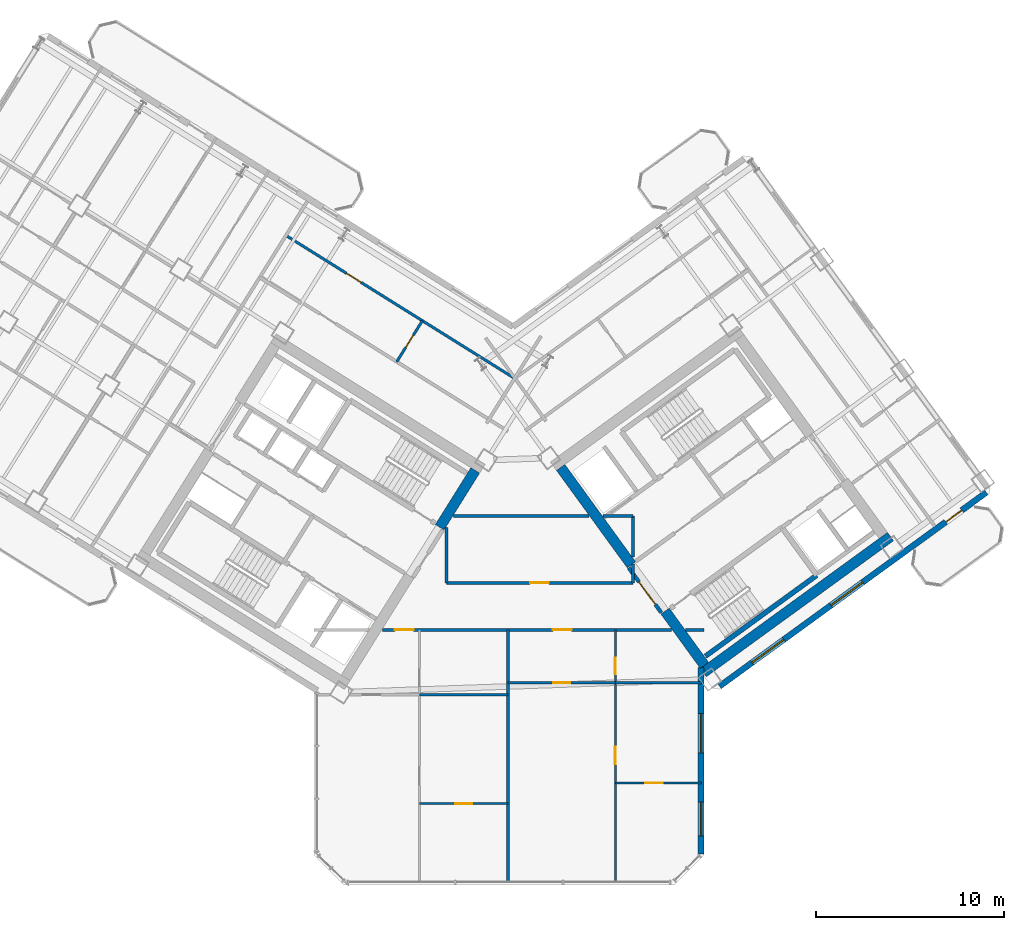
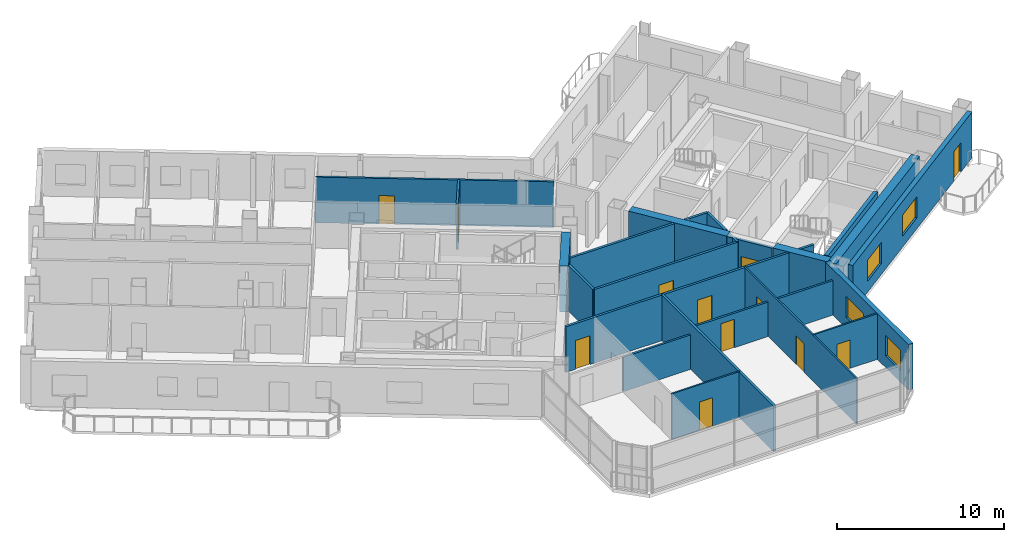
# One storey, part 13 of 20: 25 walls, 12 doors, 4 windows, 16 openings.
"""IFC4 building model written with IfcOpenShell, lengths in metres."""

from ifc_helpers import new_model, si_unit, direction, frame, frame_2d, origin, place, context, subcontext, project, spatial, rectangle, extrude, source, transform, mapped, material, layer, layer_set, type_object, element, fill, save


model = new_model("IFC4")

# Units and contexts
model_context = context("Model", 3, precision=1e-05, world=origin(), true_north=direction((0.0, 1.0)))
body_context = subcontext(model_context, "Body", "Model", "MODEL_VIEW")
ifc_project = project(units=[si_unit("LENGTHUNIT", "METRE"), si_unit("AREAUNIT", "SQUARE_METRE"), si_unit("VOLUMEUNIT", "CUBIC_METRE"), si_unit("PLANEANGLEUNIT", "RADIAN"), si_unit("MASSUNIT", "GRAM", prefix="KILO")], contexts=[model_context])

# Site, building, storey
site_placement = place(None, origin())
site = spatial("IfcSite", under=ifc_project, at=site_placement, CompositionType="ELEMENT")
building_placement = place(site_placement, origin())
building = spatial("IfcBuilding", under=site, at=building_placement, Name="Tlacorven Tower", CompositionType="ELEMENT")
storey_placement = place(building_placement, frame((0.0, 0.0, 116.10009765625)))
storey = spatial("IfcBuildingStorey", under=building, at=storey_placement, Name="L29", CompositionType="ELEMENT", Elevation=116.10009765625)

# Walls
ifc_material_1 = material(Name="Concrete C60/75", Category="concrete")
ifc_layer_1 = layer(ifc_material_1, 0.550048828125)
ifc_layer_set_1 = layer_set([ifc_layer_1], Name="Concrete C60/75")
wall_type_1 = type_object("IfcWallType", Name="WL-COR-550", PredefinedType="SHEAR", material=ifc_layer_set_1)
wall_1_placement = place(storey_placement, frame((40.194091796875, 23.92236328125, 0.0), z_axis=(0.0, 0.0, 1.0), x_axis=(-0.529888438328, -0.848067357541, 0.0)))
element("IfcWall", 1, at=wall_1_placement, inside=storey, type_object=wall_type_1, Name="L29 W core end wall E1.1", PredefinedType="SHEAR", context=body_context, shape_type="SweptSolid", body=[
    extrude(rectangle(XDim=3.574951171875, YDim=0.550048828125, at=frame_2d((1.78759765625, 0.0))), origin(), (0.0, 0.0, 1.0), 3.349853515625),
])
wall_2_placement = place(storey_placement, frame((52.35888671875, 13.1396484375, 0.0), z_axis=(0.0, 0.0, 1.0), x_axis=(0.809014896919, 0.587788139183, 0.0)))
element("IfcWall", 2, at=wall_2_placement, inside=storey, type_object=wall_type_1, Name="L29 E core shear wall S1", PredefinedType="SHEAR", context=body_context, shape_type="SweptSolid", body=[
    extrude(rectangle(XDim=12.340087890625, YDim=0.550048828125, at=frame_2d((6.169921875, 0.0))), origin(), (0.0, 0.0, 1.0), 3.349853515625),
])
wall_3_placement = place(storey_placement, frame((52.419677734375, 13.52392578125, 0.0), z_axis=(0.0, 0.0, 1.0), x_axis=(-0.587802113096, 0.809004744015, 0.0)))
element("IfcWall", 3, at=wall_3_placement, inside=storey, type_object=wall_type_1, Name="L29 E core end wall E1.1", PredefinedType="SHEAR", context=body_context, shape_type="SweptSolid", body=[
    extrude(rectangle(XDim=3.574951171875, YDim=0.550048828125, at=frame_2d((1.78759765625, 0.0))), origin(), (0.0, 0.0, 1.0), 3.349853515625),
])
wall_4_placement = place(storey_placement, frame((48.525634765625, 18.883544921875, 0.0), z_axis=(0.0, 0.0, 1.0), x_axis=(-0.587764933797, 0.809031756236, 0.0)))
element("IfcWall", 4, at=wall_4_placement, inside=storey, type_object=wall_type_1, Name="L29 E core end wall E1.2", PredefinedType="SHEAR", context=body_context, shape_type="SweptSolid", body=[
    extrude(rectangle(XDim=6.425048828125, YDim=0.550048828125, at=frame_2d((3.21240234375, 0.0))), origin(), (0.0, 0.0, 1.0), 3.349853515625),
])

# Wall, openings, doors
ifc_material_2 = material(Name="Gypsum plasterboard acoustic partition", Category="gypsum")
ifc_layer_2 = layer(ifc_material_2, 0.159912109375)
ifc_layer_set_2 = layer_set([ifc_layer_2], Name="Gypsum plasterboard acoustic partition")
wall_type_2 = type_object("IfcWallType", Name="WL-DEM-160", PredefinedType="PARTITIONING", material=ifc_layer_set_2)
wall_5_placement = place(storey_placement, frame((35.2373046875, 15.419921875, 0.0), z_axis=(0.0, 0.0, 1.0), x_axis=(1.0, 0.0, 0.0)))
wall_5 = element("IfcWall", 5, at=wall_5_placement, inside=storey, type_object=wall_type_2, Name="L29 Knuckle Corridor South Wall", PredefinedType="PARTITIONING", context=body_context, shape_type="SweptSolid", body=[
    extrude(rectangle(XDim=15.431640625, YDim=0.159912109375, at=frame_2d((7.7158203125, 0.0))), origin(), (0.0, 0.0, 1.0), 3.33984375),
])
opening_1_placement = place(wall_5_placement, frame((0.673583984375, 0.0, 0.0)))
opening_1 = element("IfcOpeningElement", 6, at=opening_1_placement, cuts=wall_5, Name="Opening D11", PredefinedType="OPENING", context=body_context, shape_type="SweptSolid", body=[
    extrude(rectangle(XDim=1.0, YDim=2.10009765625, at=frame_2d((0.5, 1.050048828125))), frame((0.0, 0.08984375, 0.0), z_axis=(0.0, -1.0, 0.0), x_axis=(1.0, 0.0, 0.0)), (0.0, 0.0, 1.0), 0.179931640625),
])
opening_2_placement = place(wall_5_placement, frame((9.093994140625, 0.0, 0.0)))
opening_2 = element("IfcOpeningElement", 7, at=opening_2_placement, cuts=wall_5, Name="Opening D11", PredefinedType="OPENING", context=body_context, shape_type="SweptSolid", body=[
    extrude(rectangle(XDim=1.0, YDim=2.10009765625, at=frame_2d((0.5, 1.050048828125))), frame((0.0, 0.08984375, 0.0), z_axis=(0.0, -1.0, 0.0), x_axis=(1.0, 0.0, 0.0)), (0.0, 0.0, 1.0), 0.179931640625),
])
ifc_material_3 = material(Name="Fire-rated steel door assembly", Category="steel")
door_type_1 = type_object("IfcDoorType", Name="DR-FLT-FD60-1000", OperationType="NOTDEFINED", PredefinedType="DOOR", material=ifc_material_3)
shared_shape_1 = source(origin(), body_context, "Body", "SweptSolid", [
    extrude(rectangle(XDim=1.0, YDim=2.10009765625, at=frame_2d((0.5, 1.050048828125))), frame((0.0, 0.02490234375, 0.0), z_axis=(0.0, -1.0, 0.0), x_axis=(1.0, 0.0, 0.0)), (0.0, 0.0, 1.0), 0.050048828125),
])
door_1_placement = place(opening_1_placement, frame((1.0, 0.0, 0.0), z_axis=(0.0, 0.0, 1.0), x_axis=(-1.0, 0.0, 0.0)))
door_1 = element("IfcDoor", 8, at=door_1_placement, inside=storey, type_object=door_type_1, Name="L29 door 048", OperationType="SINGLE_SWING_RIGHT", OverallHeight=2.10009765625, OverallWidth=1.0, PredefinedType="DOOR", context=body_context, shape_type="MappedRepresentation", body=[
    mapped(shared_shape_1, transform((0.0, 0.0, 0.0), scale=1.0)),
])
fill(opening_1, door_1)
door_2_placement = place(opening_2_placement, frame((1.0, 0.0, 0.0), z_axis=(0.0, 0.0, 1.0), x_axis=(-1.0, 0.0, 0.0)))
door_2 = element("IfcDoor", 9, at=door_2_placement, inside=storey, type_object=door_type_1, Name="L29 door 053", OperationType="SINGLE_SWING_LEFT", OverallHeight=2.10009765625, OverallWidth=1.0, PredefinedType="DOOR", context=body_context, shape_type="MappedRepresentation", body=[
    mapped(shared_shape_1, transform((0.0, 0.0, 0.0), scale=1.0)),
])
fill(opening_2, door_2)

# Wall
wall_6_placement = place(storey_placement, frame((51.41552734375, 15.419921875, 0.0), z_axis=(0.0, 0.0, 1.0), x_axis=(1.0, 0.0, 0.0)))
element("IfcWall", 10, at=wall_6_placement, inside=storey, type_object=wall_type_2, Name="L29 Knuckle Corridor South Wall", PredefinedType="PARTITIONING", context=body_context, shape_type="SweptSolid", body=[
    extrude(rectangle(XDim=0.984375, YDim=0.159912109375, at=frame_2d((0.4921875, 0.0))), origin(), (0.0, 0.0, 1.0), 3.33984375),
])

# Wall, opening, door
wall_7_placement = place(storey_placement, frame((38.64990234375, 17.929931640625, 0.0), z_axis=(0.0, 0.0, 1.0), x_axis=(1.0, 0.0, 0.0)))
wall_7 = element("IfcWall", 11, at=wall_7_placement, inside=storey, type_object=wall_type_2, Name="L29 partition 72", PredefinedType="PARTITIONING", context=body_context, shape_type="SweptSolid", body=[
    extrude(rectangle(XDim=9.9501953125, YDim=0.159912109375, at=frame_2d((4.97509765625, 0.0))), origin(), (0.0, 0.0, 1.0), 3.33984375),
])
opening_3_placement = place(wall_7_placement, frame((4.47509765625, 0.0, 0.0)))
opening_3 = element("IfcOpeningElement", 12, at=opening_3_placement, cuts=wall_7, Name="Opening D11", PredefinedType="OPENING", context=body_context, shape_type="SweptSolid", body=[
    extrude(rectangle(XDim=1.0, YDim=2.10009765625, at=frame_2d((0.5, 1.050048828125))), frame((0.0, 0.08984375, 0.0), z_axis=(0.0, -1.0, 0.0), x_axis=(1.0, 0.0, 0.0)), (0.0, 0.0, 1.0), 0.179931640625),
])
door_3_placement = place(opening_3_placement, origin())
door_3 = element("IfcDoor", 13, at=door_3_placement, inside=storey, type_object=door_type_1, Name="L29 door 043", OperationType="SINGLE_SWING_LEFT", OverallHeight=2.10009765625, OverallWidth=1.0, PredefinedType="DOOR", context=body_context, shape_type="MappedRepresentation", body=[
    mapped(shared_shape_1, transform((0.0, 0.0, 0.0), scale=1.0)),
])
fill(opening_3, door_3)

# Walls
wall_8_placement = place(storey_placement, frame((38.64990234375, 17.929931640625, 0.0), z_axis=(0.0, 0.0, 1.0), x_axis=(0.0, 1.0, 0.0)))
element("IfcWall", 14, at=wall_8_placement, inside=storey, type_object=wall_type_2, Name="L29 partition 73", PredefinedType="PARTITIONING", context=body_context, shape_type="SweptSolid", body=[
    extrude(rectangle(XDim=2.951416015625, YDim=0.159912109375, at=frame_2d((1.4755859375, 0.0))), origin(), (0.0, 0.0, 1.0), 3.33984375),
])
wall_9_placement = place(storey_placement, frame((48.60009765625, 17.929931640625, 0.0), z_axis=(0.0, 0.0, 1.0), x_axis=(0.0, 1.0, 0.0)))
element("IfcWall", 15, at=wall_9_placement, inside=storey, type_object=wall_type_2, Name="L29 partition 74", PredefinedType="PARTITIONING", context=body_context, shape_type="SweptSolid", body=[
    extrude(rectangle(XDim=0.99267578125, YDim=0.159912109375, at=frame_2d((0.496337890625, 0.0))), origin(), (0.0, 0.0, 1.0), 3.33984375),
])
wall_10_placement = place(storey_placement, frame((48.60009765625, 19.295166015625, 0.0), z_axis=(0.0, 0.0, 1.0), x_axis=(0.0, 1.0, 0.0)))
element("IfcWall", 16, at=wall_10_placement, inside=storey, type_object=wall_type_2, Name="L29 partition 74", PredefinedType="PARTITIONING", context=body_context, shape_type="SweptSolid", body=[
    extrude(rectangle(XDim=2.204833984375, YDim=0.159912109375, at=frame_2d((1.1025390625, 0.0))), origin(), (0.0, 0.0, 1.0), 3.33984375),
])
wall_11_placement = place(storey_placement, frame((39.03662109375, 21.5, 0.0), z_axis=(0.0, 0.0, 1.0), x_axis=(1.0, 0.0, 0.0)))
element("IfcWall", 17, at=wall_11_placement, inside=storey, type_object=wall_type_2, Name="L29 partition 75", PredefinedType="PARTITIONING", context=body_context, shape_type="SweptSolid", body=[
    extrude(rectangle(XDim=7.21484375, YDim=0.159912109375, at=frame_2d((3.607421875, 0.0))), origin(), (0.0, 0.0, 1.0), 3.33984375),
])
wall_12_placement = place(storey_placement, frame((46.998046875, 21.5, 0.0), z_axis=(0.0, 0.0, 1.0), x_axis=(1.0, 0.0, 0.0)))
element("IfcWall", 18, at=wall_12_placement, inside=storey, type_object=wall_type_2, Name="L29 partition 75", PredefinedType="PARTITIONING", context=body_context, shape_type="SweptSolid", body=[
    extrude(rectangle(XDim=1.60205078125, YDim=0.159912109375, at=frame_2d((0.801025390625, 0.0))), origin(), (0.0, 0.0, 1.0), 3.33984375),
])
wall_13_placement = place(storey_placement, frame((41.949951171875, 1.9599609375, 0.0), z_axis=(0.0, 0.0, 1.0), x_axis=(0.0, 1.0, 0.0)))
element("IfcWall", 19, at=wall_13_placement, inside=storey, type_object=wall_type_2, Name="L29 Knuckle Demising Wall 1", PredefinedType="PARTITIONING", context=body_context, shape_type="SweptSolid", body=[
    extrude(rectangle(XDim=13.4599609375, YDim=0.159912109375, at=frame_2d((6.72998046875, 0.0))), origin(), (0.0, 0.0, 1.0), 3.33984375),
])

# Wall, openings, door, windows
ifc_material_4 = material(Name="Precast concrete C45/55", Category="concrete")
ifc_layer_3 = layer(ifc_material_4, 0.320068359375)
ifc_layer_set_3 = layer_set([ifc_layer_3], Name="Precast concrete C45/55")
wall_type_3 = type_object("IfcWallType", Name="WL-EXT-320", PredefinedType="STANDARD", material=ifc_layer_set_3)
wall_14_placement = place(storey_placement, frame((67.45361328125, 22.746826171875, 0.0), z_axis=(0.0, 0.0, 1.0), x_axis=(-0.809021120468, -0.587779573171, 0.0)))
wall_14 = element("IfcWall", 20, at=wall_14_placement, inside=storey, type_object=wall_type_3, Name="L29 Masonry-Frame Recessed Facade Wall 6", PredefinedType="STANDARD", context=body_context, shape_type="SweptSolid", body=[
    extrude(rectangle(XDim=17.587646484375, YDim=0.320068359375, at=frame_2d((8.7939453125, 0.0))), origin(), (0.0, 0.0, 1.0), 3.349853515625),
])
opening_4_placement = place(wall_14_placement, frame((1.623779296875, 0.0, 0.0)))
opening_4 = element("IfcOpeningElement", 21, at=opening_4_placement, cuts=wall_14, Name="Opening D06", PredefinedType="OPENING", context=body_context, shape_type="SweptSolid", body=[
    extrude(rectangle(XDim=1.050048828125, YDim=2.14990234375, at=frame_2d((0.52490234375, 1.074951171875))), frame((0.0, 0.169921875, 0.0), z_axis=(0.0, -1.0, 0.0), x_axis=(1.0, 0.0, 0.0)), (0.0, 0.0, 1.0), 0.340087890625),
])
opening_5_placement = place(wall_14_placement, frame((8.143798828125, 0.0, 0.800048828125)))
opening_5 = element("IfcOpeningElement", 22, at=opening_5_placement, cuts=wall_14, Name="Opening WN04", PredefinedType="OPENING", context=body_context, shape_type="SweptSolid", body=[
    extrude(rectangle(XDim=2.10009765625, YDim=1.550048828125, at=frame_2d((1.050048828125, 0.77490234375))), frame((0.0, 0.169921875, 0.0), z_axis=(0.0, -1.0, 0.0), x_axis=(1.0, 0.0, 0.0)), (0.0, 0.0, 1.0), 0.340087890625),
])
opening_6_placement = place(wall_14_placement, frame((13.34375, 0.0, 0.800048828125)))
opening_6 = element("IfcOpeningElement", 23, at=opening_6_placement, cuts=wall_14, Name="Opening WN04", PredefinedType="OPENING", context=body_context, shape_type="SweptSolid", body=[
    extrude(rectangle(XDim=2.10009765625, YDim=1.550048828125, at=frame_2d((1.050048828125, 0.77490234375))), frame((0.0, 0.169921875, 0.0), z_axis=(0.0, -1.0, 0.0), x_axis=(1.0, 0.0, 0.0)), (0.0, 0.0, 1.0), 0.340087890625),
])
ifc_material_5 = material(Name="Powder-coated aluminium and timber door", Category="wood")
door_type_2 = type_object("IfcDoorType", Name="DR-EXT-BALC-1050", OperationType="NOTDEFINED", PredefinedType="DOOR", material=ifc_material_5)
shared_shape_2 = source(origin(), body_context, "Body", "SweptSolid", [
    extrude(rectangle(XDim=1.050048828125, YDim=2.14990234375, at=frame_2d((0.52490234375, 1.074951171875))), frame((0.0, 0.02490234375, 0.0), z_axis=(0.0, -1.0, 0.0), x_axis=(1.0, 0.0, 0.0)), (0.0, 0.0, 1.0), 0.050048828125),
])
door_4_placement = place(opening_4_placement, origin())
door_4 = element("IfcDoor", 24, at=door_4_placement, inside=storey, type_object=door_type_2, Name="L29 Outdoor Access Door BAL-L29-E-OUT", OperationType="SINGLE_SWING_LEFT", OverallHeight=2.14990234375, OverallWidth=1.050048828125, PredefinedType="DOOR", context=body_context, shape_type="MappedRepresentation", body=[
    mapped(shared_shape_2, transform((0.0, 0.0, 0.0), scale=1.0)),
])
fill(opening_4, door_4)
ifc_material_6 = material(Name="Dark solar low-E double glazing in anodised aluminium frame", Category="aluminium")
window_type_1 = type_object("IfcWindowType", Name="WN-APT-2100X1750", PartitioningType="SINGLE_PANEL", PredefinedType="WINDOW", material=ifc_material_6)
shared_shape_3 = source(origin(), body_context, "Body", "SweptSolid", [
    extrude(rectangle(XDim=2.10009765625, YDim=1.550048828125, at=frame_2d((1.050048828125, 0.77490234375))), frame((0.0, 0.030029296875, 0.0), z_axis=(0.0, -1.0, 0.0), x_axis=(1.0, 0.0, 0.0)), (0.0, 0.0, 1.0), 0.06005859375),
])
window_1_placement = place(opening_5_placement, origin())
window_1 = element("IfcWindow", 25, at=window_1_placement, inside=storey, type_object=window_type_1, Name="L29 Recessed Masonry-Frame Window L29-06.1", OverallHeight=1.550048828125, OverallWidth=2.10009765625, PartitioningType="SINGLE_PANEL", PredefinedType="WINDOW", context=body_context, shape_type="MappedRepresentation", body=[
    mapped(shared_shape_3, transform((0.0, 0.0, 0.0), scale=1.0)),
])
fill(opening_5, window_1)
window_2_placement = place(opening_6_placement, origin())
window_2 = element("IfcWindow", 26, at=window_2_placement, inside=storey, type_object=window_type_1, Name="L29 Recessed Masonry-Frame Window L29-06.2", OverallHeight=1.550048828125, OverallWidth=2.10009765625, PartitioningType="SINGLE_PANEL", PredefinedType="WINDOW", context=body_context, shape_type="MappedRepresentation", body=[
    mapped(shared_shape_3, transform((0.0, 0.0, 0.0), scale=1.0)),
])
fill(opening_6, window_2)

# Wall, openings, windows
wall_15_placement = place(storey_placement, frame((52.239990234375, 13.4140625, 0.0), z_axis=(0.0, 0.0, 1.0), x_axis=(0.0, -1.0, 0.0)))
wall_15 = element("IfcWall", 27, at=wall_15_placement, inside=storey, type_object=wall_type_3, Name="L29 Masonry-Frame Recessed Facade Wall 7", PredefinedType="STANDARD", context=body_context, shape_type="SweptSolid", body=[
    extrude(rectangle(XDim=9.94775390625, YDim=0.320068359375, at=frame_2d((4.973876953125, 0.0))), origin(), (0.0, 0.0, 1.0), 3.349853515625),
])
opening_7_placement = place(wall_15_placement, frame((2.4599609375, 0.0, 0.800048828125)))
opening_7 = element("IfcOpeningElement", 28, at=opening_7_placement, cuts=wall_15, Name="Opening WN04", PredefinedType="OPENING", context=body_context, shape_type="SweptSolid", body=[
    extrude(rectangle(XDim=2.10009765625, YDim=1.550048828125, at=frame_2d((1.050048828125, 0.77490234375))), frame((0.0, 0.169921875, 0.0), z_axis=(0.0, -1.0, 0.0), x_axis=(1.0, 0.0, 0.0)), (0.0, 0.0, 1.0), 0.340087890625),
])
opening_8_placement = place(wall_15_placement, frame((7.183349609375, 0.0, 0.85009765625)))
opening_8 = element("IfcOpeningElement", 29, at=opening_8_placement, cuts=wall_15, Name="Opening WN01", PredefinedType="OPENING", context=body_context, shape_type="SweptSolid", body=[
    extrude(rectangle(XDim=1.800048828125, YDim=1.5, at=frame_2d((0.89990234375, 0.75))), frame((0.0, 0.169921875, 0.0), z_axis=(0.0, -1.0, 0.0), x_axis=(1.0, 0.0, 0.0)), (0.0, 0.0, 1.0), 0.340087890625),
])
window_3_placement = place(opening_7_placement, origin())
window_3 = element("IfcWindow", 30, at=window_3_placement, inside=storey, type_object=window_type_1, Name="L29 Recessed Masonry-Frame Window L29-07.1", OverallHeight=1.550048828125, OverallWidth=2.10009765625, PartitioningType="SINGLE_PANEL", PredefinedType="WINDOW", context=body_context, shape_type="MappedRepresentation", body=[
    mapped(shared_shape_3, transform((0.0, 0.0, 0.0), scale=1.0)),
])
fill(opening_7, window_3)
window_type_2 = type_object("IfcWindowType", Name="WN-APT-1800X1650", PartitioningType="SINGLE_PANEL", PredefinedType="WINDOW", material=ifc_material_6)
shared_shape_4 = source(origin(), body_context, "Body", "SweptSolid", [
    extrude(rectangle(XDim=1.800048828125, YDim=1.5, at=frame_2d((0.89990234375, 0.75))), frame((0.0, 0.030029296875, 0.0), z_axis=(0.0, -1.0, 0.0), x_axis=(1.0, 0.0, 0.0)), (0.0, 0.0, 1.0), 0.06005859375),
])
window_4_placement = place(opening_8_placement, origin())
window_4 = element("IfcWindow", 31, at=window_4_placement, inside=storey, type_object=window_type_2, Name="L29 Recessed Masonry-Frame Window L29-07.2", OverallHeight=1.5, OverallWidth=1.800048828125, PartitioningType="SINGLE_PANEL", PredefinedType="WINDOW", context=body_context, shape_type="MappedRepresentation", body=[
    mapped(shared_shape_4, transform((0.0, 0.0, 0.0), scale=1.0)),
])
fill(opening_8, window_4)

# Wall, opening, door
ifc_material_7 = material(Name="Gypsum plasterboard partition", Category="gypsum")
ifc_layer_4 = layer(ifc_material_7, 0.110107421875)
ifc_layer_set_4 = layer_set([ifc_layer_4], Name="Gypsum plasterboard partition")
wall_type_4 = type_object("IfcWallType", Name="WL-INT-110", PredefinedType="PARTITIONING", material=ifc_layer_set_4)
wall_16_placement = place(storey_placement, frame((37.221923828125, 6.14990234375, 0.0), z_axis=(0.0, 0.0, 1.0), x_axis=(1.0, 0.0, 0.0)))
wall_16 = element("IfcWall", 32, at=wall_16_placement, inside=storey, type_object=wall_type_4, Name="L29 partition 81", PredefinedType="PARTITIONING", context=body_context, shape_type="SweptSolid", body=[
    extrude(rectangle(XDim=4.72802734375, YDim=0.110107421875, at=frame_2d((2.364013671875, 0.0))), origin(), (0.0, 0.0, 1.0), 3.33984375),
])
opening_9_placement = place(wall_16_placement, frame((1.904052734375, 0.0, 0.0)))
opening_9 = element("IfcOpeningElement", 33, at=opening_9_placement, cuts=wall_16, Name="Opening D12", PredefinedType="OPENING", context=body_context, shape_type="SweptSolid", body=[
    extrude(rectangle(XDim=0.919921875, YDim=2.080078125, at=frame_2d((0.4599609375, 1.0400390625))), frame((0.0, 0.06494140625, 0.0), z_axis=(0.0, -1.0, 0.0), x_axis=(1.0, 0.0, 0.0)), (0.0, 0.0, 1.0), 0.130126953125),
])
door_type_3 = type_object("IfcDoorType", Name="DR-INT-ROOM-0920", OperationType="NOTDEFINED", PredefinedType="DOOR", material=ifc_material_5)
shared_shape_5 = source(origin(), body_context, "Body", "SweptSolid", [
    extrude(rectangle(XDim=0.919921875, YDim=2.080078125, at=frame_2d((0.4599609375, 1.0400390625))), frame((0.0, 0.02490234375, 0.0), z_axis=(0.0, -1.0, 0.0), x_axis=(1.0, 0.0, 0.0)), (0.0, 0.0, 1.0), 0.050048828125),
])
door_5_placement = place(opening_9_placement, origin())
door_5 = element("IfcDoor", 34, at=door_5_placement, inside=storey, type_object=door_type_3, Name="L29 door 047", OperationType="SINGLE_SWING_LEFT", OverallHeight=2.080078125, OverallWidth=0.919921875, PredefinedType="DOOR", context=body_context, shape_type="MappedRepresentation", body=[
    mapped(shared_shape_5, transform((0.0, 0.0, 0.0), scale=1.0)),
])
fill(opening_9, door_5)

# Wall, openings, doors
wall_17_placement = place(storey_placement, frame((47.6630859375, 1.9599609375, 0.0), z_axis=(0.0, 0.0, 1.0), x_axis=(0.0, 1.0, 0.0)))
wall_17 = element("IfcWall", 35, at=wall_17_placement, inside=storey, type_object=wall_type_4, Name="L29 partition 82", PredefinedType="PARTITIONING", context=body_context, shape_type="SweptSolid", body=[
    extrude(rectangle(XDim=13.4599609375, YDim=0.110107421875, at=frame_2d((6.72998046875, 0.0))), origin(), (0.0, 0.0, 1.0), 3.33984375),
])
opening_10_placement = place(wall_17_placement, frame((6.300048828125, 0.0, 0.0)))
opening_10 = element("IfcOpeningElement", 36, at=opening_10_placement, cuts=wall_17, Name="Opening D12", PredefinedType="OPENING", context=body_context, shape_type="SweptSolid", body=[
    extrude(rectangle(XDim=0.919921875, YDim=2.080078125, at=frame_2d((0.4599609375, 1.0400390625))), frame((0.0, 0.06494140625, 0.0), z_axis=(0.0, -1.0, 0.0), x_axis=(1.0, 0.0, 0.0)), (0.0, 0.0, 1.0), 0.130126953125),
])
opening_11_placement = place(wall_17_placement, frame((11.10009765625, 0.0, 0.0)))
opening_11 = element("IfcOpeningElement", 37, at=opening_11_placement, cuts=wall_17, Name="Opening D13", PredefinedType="OPENING", context=body_context, shape_type="SweptSolid", body=[
    extrude(rectangle(XDim=0.8798828125, YDim=2.080078125, at=frame_2d((0.43994140625, 1.0400390625))), frame((0.0, 0.06494140625, 0.0), z_axis=(0.0, -1.0, 0.0), x_axis=(1.0, 0.0, 0.0)), (0.0, 0.0, 1.0), 0.130126953125),
])
door_type_4 = type_object("IfcDoorType", Name="DR-INT-WET-0880", OperationType="NOTDEFINED", PredefinedType="DOOR", material=ifc_material_5)
shared_shape_6 = source(origin(), body_context, "Body", "SweptSolid", [
    extrude(rectangle(XDim=0.8798828125, YDim=2.080078125, at=frame_2d((0.43994140625, 1.0400390625))), frame((0.0, 0.02490234375, 0.0), z_axis=(0.0, -1.0, 0.0), x_axis=(1.0, 0.0, 0.0)), (0.0, 0.0, 1.0), 0.050048828125),
])
door_6_placement = place(opening_11_placement, origin())
door_6 = element("IfcDoor", 38, at=door_6_placement, inside=storey, type_object=door_type_4, Name="L29 door 055", OperationType="SINGLE_SWING_LEFT", OverallHeight=2.080078125, OverallWidth=0.8798828125, PredefinedType="DOOR", context=body_context, shape_type="MappedRepresentation", body=[
    mapped(shared_shape_6, transform((0.0, 0.0, 0.0), scale=1.0)),
])
fill(opening_11, door_6)
door_7_placement = place(opening_10_placement, origin())
door_7 = element("IfcDoor", 39, at=door_7_placement, inside=storey, type_object=door_type_3, Name="L29 door 051", OperationType="SINGLE_SWING_LEFT", OverallHeight=2.080078125, OverallWidth=0.919921875, PredefinedType="DOOR", context=body_context, shape_type="MappedRepresentation", body=[
    mapped(shared_shape_5, transform((0.0, 0.0, 0.0), scale=1.0)),
])
fill(opening_10, door_7)

# Wall, opening, door
wall_18_placement = place(storey_placement, frame((47.6630859375, 7.25, 0.0), z_axis=(0.0, 0.0, 1.0), x_axis=(1.0, 0.0, 0.0)))
wall_18 = element("IfcWall", 40, at=wall_18_placement, inside=storey, type_object=wall_type_4, Name="L29 partition 85", PredefinedType="PARTITIONING", context=body_context, shape_type="SweptSolid", body=[
    extrude(rectangle(XDim=4.596923828125, YDim=0.110107421875, at=frame_2d((2.29833984375, 0.0))), origin(), (0.0, 0.0, 1.0), 3.33984375),
])
opening_12_placement = place(wall_18_placement, frame((1.6083984375, 0.0, 0.0)))
opening_12 = element("IfcOpeningElement", 41, at=opening_12_placement, cuts=wall_18, Name="Opening D12", PredefinedType="OPENING", context=body_context, shape_type="SweptSolid", body=[
    extrude(rectangle(XDim=0.919921875, YDim=2.080078125, at=frame_2d((0.4599609375, 1.0400390625))), frame((0.0, 0.06494140625, 0.0), z_axis=(0.0, -1.0, 0.0), x_axis=(1.0, 0.0, 0.0)), (0.0, 0.0, 1.0), 0.130126953125),
])
door_8_placement = place(opening_12_placement, origin())
door_8 = element("IfcDoor", 42, at=door_8_placement, inside=storey, type_object=door_type_3, Name="L29 door 052", OperationType="SINGLE_SWING_RIGHT", OverallHeight=2.080078125, OverallWidth=0.919921875, PredefinedType="DOOR", context=body_context, shape_type="MappedRepresentation", body=[
    mapped(shared_shape_5, transform((0.0, 0.0, 0.0), scale=1.0)),
])
fill(opening_12, door_8)

ifc_material_8 = material(Name="Moisture-resistant gypsum plumbing wall", Category="gypsum")
ifc_layer_5 = layer(ifc_material_8, 0.139892578125)
ifc_layer_set_5 = layer_set([ifc_layer_5], Name="Moisture-resistant gypsum plumbing wall")
wall_type_5 = type_object("IfcWallType", Name="WL-PLM-140", PredefinedType="PLUMBINGWALL", material=ifc_layer_set_5)
wall_19_placement = place(storey_placement, frame((42.226318359375, 28.872802734375, 0.0), z_axis=(0.0, 0.0, 1.0), x_axis=(-0.848049134363, 0.529917602752, 0.0)))
wall_19 = element("IfcWall", 43, at=wall_19_placement, inside=storey, type_object=wall_type_5, Name="L29 partition 68", PredefinedType="PLUMBINGWALL", context=body_context, shape_type="SweptSolid", body=[
    extrude(rectangle(XDim=14.300048828125, YDim=0.139892578125, at=frame_2d((7.14990234375, 0.0))), origin(), (0.0, 0.0, 1.0), 3.33984375),
])
opening_13_placement = place(wall_19_placement, frame((9.570068359375, 0.0, 0.0)))
opening_13 = element("IfcOpeningElement", 44, at=opening_13_placement, cuts=wall_19, Name="Opening D12", PredefinedType="OPENING", context=body_context, shape_type="SweptSolid", body=[
    extrude(rectangle(XDim=0.919921875, YDim=2.080078125, at=frame_2d((0.4599609375, 1.0400390625))), frame((0.0, 0.080078125, 0.0), z_axis=(0.0, -1.0, 0.0), x_axis=(1.0, 0.0, 0.0)), (0.0, 0.0, 1.0), 0.159912109375),
])
door_9_placement = place(opening_13_placement, origin())
door_9 = element("IfcDoor", 45, at=door_9_placement, inside=storey, type_object=door_type_3, Name="L29 door 041", OperationType="SINGLE_SWING_LEFT", OverallHeight=2.080078125, OverallWidth=0.919921875, PredefinedType="DOOR", context=body_context, shape_type="MappedRepresentation", body=[
    mapped(shared_shape_5, transform((0.0, 0.0, 0.0), scale=1.0)),
])
fill(opening_13, door_9)

wall_20_placement = place(storey_placement, frame((37.37548828125, 31.904052734375, 0.0), z_axis=(0.0, 0.0, 1.0), x_axis=(-0.529913878929, -0.848051461244, 0.0)))
wall_20 = element("IfcWall", 46, at=wall_20_placement, inside=storey, type_object=wall_type_5, Name="L29 partition 69", PredefinedType="PLUMBINGWALL", context=body_context, shape_type="SweptSolid", body=[
    extrude(rectangle(XDim=2.580078125, YDim=0.139892578125, at=frame_2d((1.2900390625, 0.0))), origin(), (0.0, 0.0, 1.0), 3.33984375),
])
opening_14_placement = place(wall_20_placement, frame((0.89990234375, 0.0, 0.0)))
opening_14 = element("IfcOpeningElement", 47, at=opening_14_placement, cuts=wall_20, Name="Opening D22", PredefinedType="OPENING", context=body_context, shape_type="SweptSolid", body=[
    extrude(rectangle(XDim=0.780029296875, YDim=2.050048828125, at=frame_2d((0.39013671875, 1.02490234375))), frame((0.0, 0.080078125, 0.0), z_axis=(0.0, -1.0, 0.0), x_axis=(1.0, 0.0, 0.0)), (0.0, 0.0, 1.0), 0.159912109375),
])
door_type_5 = type_object("IfcDoorType", Name="DR-INT-WET-0780", OperationType="NOTDEFINED", PredefinedType="DOOR", material=ifc_material_5)
shared_shape_7 = source(origin(), body_context, "Body", "SweptSolid", [
    extrude(rectangle(XDim=0.780029296875, YDim=2.050048828125, at=frame_2d((0.39013671875, 1.02490234375))), frame((0.0, 0.02490234375, 0.0), z_axis=(0.0, -1.0, 0.0), x_axis=(1.0, 0.0, 0.0)), (0.0, 0.0, 1.0), 0.050048828125),
])
door_10_placement = place(opening_14_placement, origin())
door_10 = element("IfcDoor", 48, at=door_10_placement, inside=storey, type_object=door_type_5, Name="L29 door 042", OperationType="SINGLE_SWING_RIGHT", OverallHeight=2.050048828125, OverallWidth=0.780029296875, PredefinedType="DOOR", context=body_context, shape_type="MappedRepresentation", body=[
    mapped(shared_shape_7, transform((0.0, 0.0, 0.0), scale=1.0)),
])
fill(opening_14, door_10)

# Wall
wall_21_placement = place(storey_placement, frame((37.221923828125, 11.949951171875, 0.0), z_axis=(0.0, 0.0, 1.0), x_axis=(1.0, 0.0, 0.0)))
element("IfcWall", 49, at=wall_21_placement, inside=storey, type_object=wall_type_5, Name="L29 partition 80", PredefinedType="PLUMBINGWALL", context=body_context, shape_type="SweptSolid", body=[
    extrude(rectangle(XDim=4.72802734375, YDim=0.139892578125, at=frame_2d((2.364013671875, 0.0))), origin(), (0.0, 0.0, 1.0), 2.52490234375),
])

# Wall, opening, door
wall_22_placement = place(storey_placement, frame((41.949951171875, 12.60009765625, 0.0), z_axis=(0.0, 0.0, 1.0), x_axis=(1.0, 0.0, 0.0)))
wall_22 = element("IfcWall", 50, at=wall_22_placement, inside=storey, type_object=wall_type_5, Name="L29 partition 83", PredefinedType="PLUMBINGWALL", context=body_context, shape_type="SweptSolid", body=[
    extrude(rectangle(XDim=5.713134765625, YDim=0.139892578125, at=frame_2d((2.8564453125, 0.0))), origin(), (0.0, 0.0, 1.0), 2.52490234375),
])
opening_15_placement = place(wall_22_placement, frame((2.396484375, 0.0, 0.0)))
opening_15 = element("IfcOpeningElement", 51, at=opening_15_placement, cuts=wall_22, Name="Opening D12", PredefinedType="OPENING", context=body_context, shape_type="SweptSolid", body=[
    extrude(rectangle(XDim=0.919921875, YDim=2.080078125, at=frame_2d((0.4599609375, 1.0400390625))), frame((0.0, 0.080078125, 0.0), z_axis=(0.0, -1.0, 0.0), x_axis=(1.0, 0.0, 0.0)), (0.0, 0.0, 1.0), 0.159912109375),
])
door_11_placement = place(opening_15_placement, frame((0.919921875, 0.0, 0.0), z_axis=(0.0, 0.0, 1.0), x_axis=(-1.0, 0.0, 0.0)))
door_11 = element("IfcDoor", 52, at=door_11_placement, inside=storey, type_object=door_type_3, Name="L29 door 054", OperationType="SINGLE_SWING_RIGHT", OverallHeight=2.080078125, OverallWidth=0.919921875, PredefinedType="DOOR", context=body_context, shape_type="MappedRepresentation", body=[
    mapped(shared_shape_5, transform((0.0, 0.0, 0.0), scale=1.0)),
])
fill(opening_15, door_11)

# Wall
wall_23_placement = place(storey_placement, frame((47.6630859375, 12.60009765625, 0.0), z_axis=(0.0, 0.0, 1.0), x_axis=(1.0, 0.0, 0.0)))
element("IfcWall", 53, at=wall_23_placement, inside=storey, type_object=wall_type_5, Name="L29 partition 84", PredefinedType="PLUMBINGWALL", context=body_context, shape_type="SweptSolid", body=[
    extrude(rectangle(XDim=4.596923828125, YDim=0.139892578125, at=frame_2d((2.29833984375, 0.0))), origin(), (0.0, 0.0, 1.0), 2.52490234375),
])

# Wall, opening, door
ifc_material_9 = material(Name="Concrete C40/50", Category="concrete")
ifc_layer_6 = layer(ifc_material_9, 0.199951171875)
ifc_layer_set_6 = layer_set([ifc_layer_6], Name="Concrete C40/50")
wall_type_6 = type_object("IfcWallType", Name="WL-SHF-200", PredefinedType="STANDARD", material=ifc_layer_set_6)
wall_24_placement = place(storey_placement, frame((50.119140625, 16.3330078125, 0.0), z_axis=(0.0, 0.0, 1.0), x_axis=(-0.587749856981, 0.809042709391, 0.0)))
wall_24 = element("IfcWall", 54, at=wall_24_placement, inside=storey, type_object=wall_type_6, Name="L29 partition 76", PredefinedType="STANDARD", context=body_context, shape_type="SweptSolid", body=[
    extrude(rectangle(XDim=2.9599609375, YDim=0.199951171875, at=frame_2d((1.47998046875, 0.0))), origin(), (0.0, 0.0, 1.0), 3.33984375),
])
opening_16_placement = place(wall_24_placement, frame((0.530029296875, 0.0, 0.0)))
opening_16 = element("IfcOpeningElement", 55, at=opening_16_placement, cuts=wall_24, Name="Opening D10", PredefinedType="OPENING", context=body_context, shape_type="SweptSolid", body=[
    extrude(rectangle(XDim=1.5, YDim=2.14990234375, at=frame_2d((0.75, 1.074951171875))), frame((0.0, 0.10986328125, 0.0), z_axis=(0.0, -1.0, 0.0), x_axis=(1.0, 0.0, 0.0)), (0.0, 0.0, 1.0), 0.219970703125),
])
door_type_6 = type_object("IfcDoorType", Name="DR-LOB-FD60-1500", OperationType="DOUBLE_DOOR_SINGLE_SWING", PredefinedType="DOOR", material=ifc_material_3)
shared_shape_8 = source(origin(), body_context, "Body", "SweptSolid", [
    extrude(rectangle(XDim=1.5, YDim=2.14990234375, at=frame_2d((0.75, 1.074951171875))), frame((0.0, 0.02490234375, 0.0), z_axis=(0.0, -1.0, 0.0), x_axis=(1.0, 0.0, 0.0)), (0.0, 0.0, 1.0), 0.050048828125),
])
door_12_placement = place(opening_16_placement, frame((1.5, 0.0, 0.0), z_axis=(0.0, 0.0, 1.0), x_axis=(-1.0, 0.0, 0.0)))
door_12 = element("IfcDoor", 56, at=door_12_placement, inside=storey, type_object=door_type_6, Name="L29 door 045", OperationType="DOUBLE_DOOR_SINGLE_SWING", OverallHeight=2.14990234375, OverallWidth=1.5, PredefinedType="DOOR", context=body_context, shape_type="MappedRepresentation", body=[
    mapped(shared_shape_8, transform((0.0, 0.0, 0.0), scale=1.0)),
])
fill(opening_16, door_12)

# Wall
ifc_material_10 = material(Name="Concrete C50/60", Category="concrete")
ifc_layer_7 = layer(ifc_material_10, 0.260009765625)
ifc_layer_set_7 = layer_set([ifc_layer_7], Name="Concrete C50/60")
wall_type_7 = type_object("IfcWallType", Name="WL-STW-260", PredefinedType="SHEAR", material=ifc_layer_set_7)
wall_25_placement = place(storey_placement, frame((52.47216796875, 14.01318359375, 0.0), z_axis=(0.0, 0.0, 1.0), x_axis=(0.809028366311, 0.587769599847, 0.0)))
element("IfcWall", 57, at=wall_25_placement, inside=storey, type_object=wall_type_7, Name="L29 Stair E2 Far Shear Wall", PredefinedType="SHEAR", context=body_context, shape_type="SweptSolid", body=[
    extrude(rectangle(XDim=7.330078125, YDim=0.260009765625, at=frame_2d((3.6650390625, 0.0))), origin(), (0.0, 0.0, 1.0), 3.349853515625),
])

save(model, "model.ifc")
